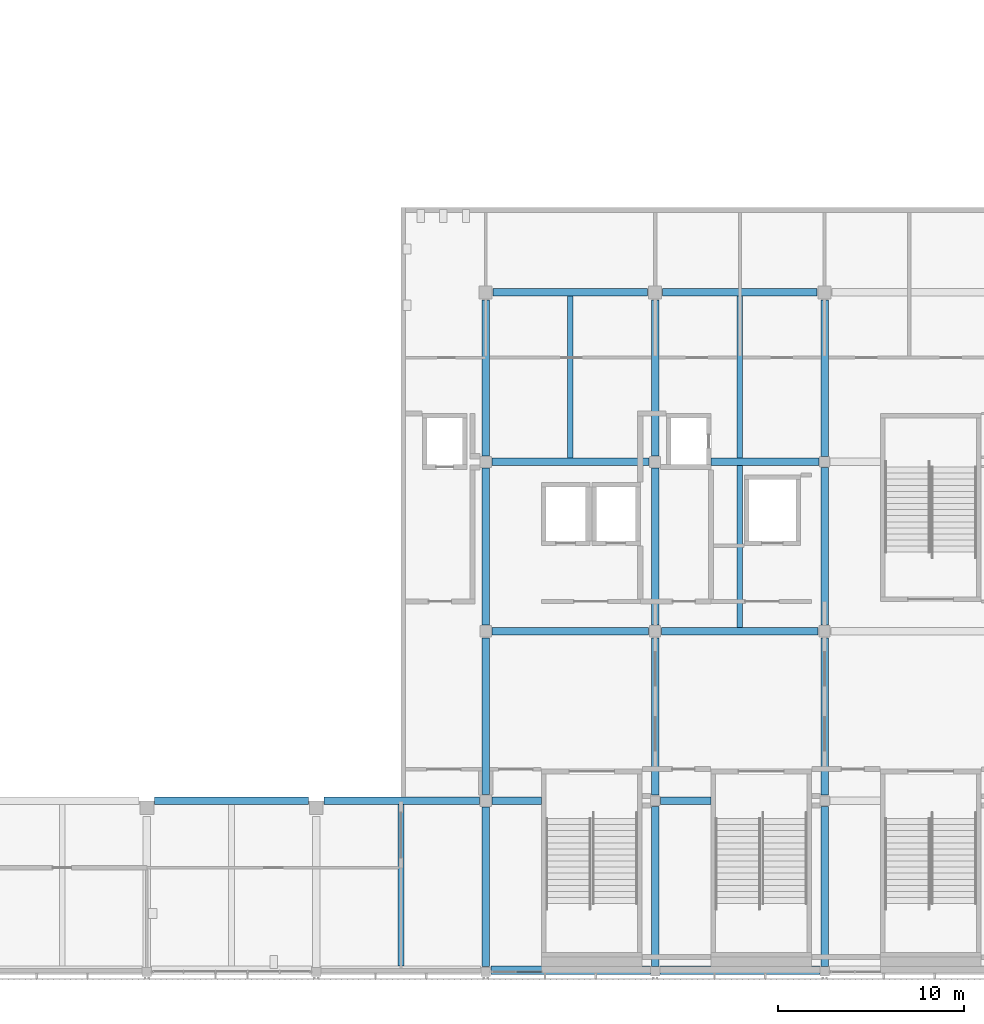
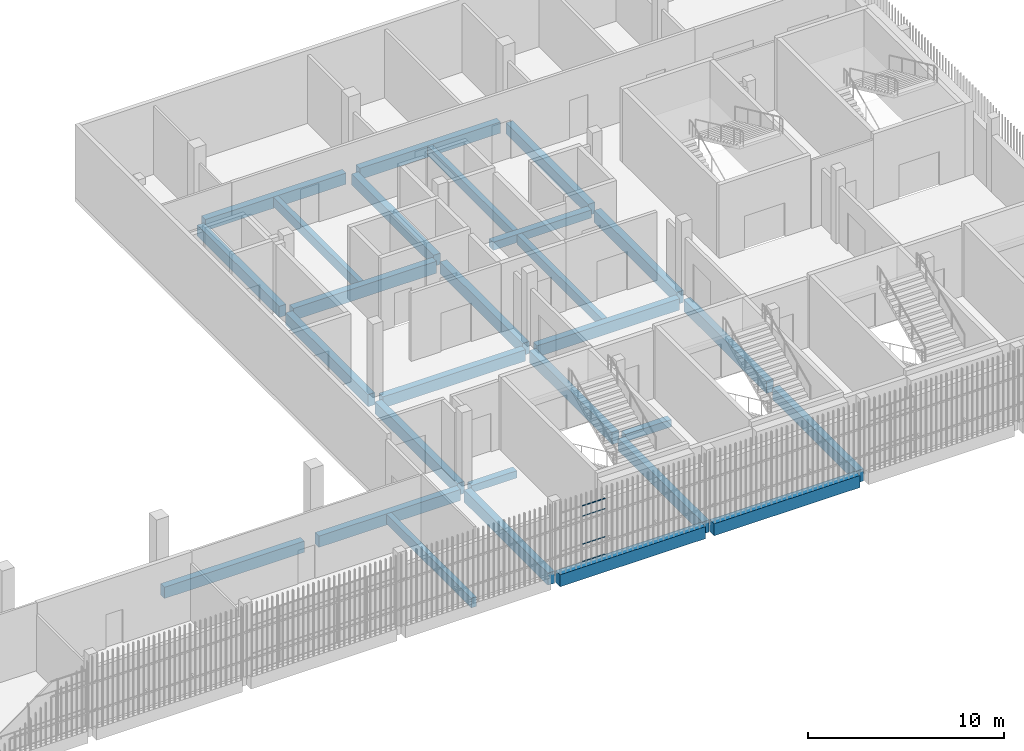
# One storey, part 28 of 124: 28 beams, 4 members, 1 element without a shape of its own.
"""IFC4 building model written with IfcOpenShell, lengths in metres."""

from ifc_helpers import new_model, si_unit, direction, frame, origin, origin_2d, place, context, subcontext, project, spatial, rectangle, hollow_rectangle, extrude, material, layer, layer_set, material_profile, profile_set, type_object, element, aggregate, save


model = new_model("IFC4")

# Units and contexts
model_context = context("Model", 3, precision=1e-05, world=origin(), true_north=direction((0.0, 1.0)))
body_context = subcontext(model_context, "Body", "Model", "MODEL_VIEW")
ifc_project = project(units=[si_unit("LENGTHUNIT", "METRE"), si_unit("AREAUNIT", "SQUARE_METRE"), si_unit("VOLUMEUNIT", "CUBIC_METRE"), si_unit("PLANEANGLEUNIT", "RADIAN"), si_unit("MASSUNIT", "GRAM", prefix="KILO")], contexts=[model_context])

# Site, building, storey
site_placement = place(None, origin())
site = spatial("IfcSite", under=ifc_project, at=site_placement, CompositionType="ELEMENT")
building_placement = place(site_placement, origin())
building = spatial("IfcBuilding", under=site, at=building_placement, Name="Shirokan Park Arena", CompositionType="ELEMENT")
storey_placement = place(building_placement, frame((0.0, 0.0, 20.02001953125)))
storey = spatial("IfcBuildingStorey", under=building, at=storey_placement, Name="L04", CompositionType="ELEMENT", Elevation=20.02001953125)

# Beams
ifc_material_1 = material(Name="Concrete C35", Category="concrete")
ifc_material_profile_1 = material_profile(ifc_material_1, rectangle(XDim=0.39990234375, YDim=0.5, at=origin_2d()), Name="400x500")
ifc_profile_set_1 = profile_set([ifc_material_profile_1], Name="Concrete C35")
beam_type_1 = type_object("IfcBeamType", Name="RC girder 400x500", PredefinedType="BEAM", material=ifc_profile_set_1)
beam_1_placement = place(storey_placement, frame((121.300048828125, 27.300048828125, -0.5), z_axis=(1.0, 0.0, 0.0), x_axis=(0.0, 1.0, 0.0)))
element("IfcBeam", 1, at=beam_1_placement, inside=storey, type_object=beam_type_1, Name="Girder 14D-15D L04", PredefinedType="BEAM", context=body_context, shape_type="SweptSolid", body=[
    extrude(rectangle(XDim=0.39990234375, YDim=0.5, at=origin_2d()), origin(), (0.0, 0.0, 1.0), 5.7998046875),
])
ifc_material_profile_2 = material_profile(ifc_material_1, rectangle(XDim=0.39990234375, YDim=0.699951171875, at=origin_2d()), Name="400x700")
ifc_profile_set_2 = profile_set([ifc_material_profile_2], Name="Concrete C35")
beam_type_2 = type_object("IfcBeamType", Name="RC girder 400x700", PredefinedType="BEAM", material=ifc_profile_set_2)
beam_2_placement = place(storey_placement, frame((91.425048828125, 9.10009765625, -0.60009765625), z_axis=(1.0, 0.0, 0.0), x_axis=(0.0, 1.0, 0.0)))
element("IfcBeam", 2, at=beam_2_placement, inside=storey, type_object=beam_type_2, Name="Girder 11B-12B L04", PredefinedType="BEAM", context=body_context, shape_type="SweptSolid", body=[
    extrude(rectangle(XDim=0.39990234375, YDim=0.699951171875, at=origin_2d()), origin(), (0.0, 0.0, 1.0), 8.249755859375),
])
beam_3_placement = place(storey_placement, frame((100.525146484375, 9.10009765625, -0.60009765625), z_axis=(1.0, 0.0, 0.0), x_axis=(0.0, 1.0, 0.0)))
element("IfcBeam", 3, at=beam_3_placement, inside=storey, type_object=beam_type_2, Name="Girder 12B-13B L04", PredefinedType="BEAM", context=body_context, shape_type="SweptSolid", body=[
    extrude(rectangle(XDim=0.39990234375, YDim=0.699951171875, at=origin_2d()), origin(), (0.0, 0.0, 1.0), 8.349853515625),
])
beam_4_placement = place(storey_placement, frame((109.550048828125, 18.199951171875, -0.60009765625), z_axis=(1.0, 0.0, 0.0), x_axis=(0.0, 1.0, 0.0)))
element("IfcBeam", 4, at=beam_4_placement, inside=storey, type_object=beam_type_2, Name="Girder 13C-14C L04", PredefinedType="BEAM", context=body_context, shape_type="SweptSolid", body=[
    extrude(rectangle(XDim=0.39990234375, YDim=0.699951171875, at=origin_2d()), origin(), (0.0, 0.0, 1.0), 8.39990234375),
])
beam_5_placement = place(storey_placement, frame((109.60009765625, 36.39990234375, -0.60009765625), z_axis=(1.0, 0.0, 0.0), x_axis=(0.0, 1.0, 0.0)))
element("IfcBeam", 5, at=beam_5_placement, inside=storey, type_object=beam_type_2, Name="Girder 13E-14E L04", PredefinedType="BEAM", context=body_context, shape_type="SweptSolid", body=[
    extrude(rectangle(XDim=0.39990234375, YDim=0.699951171875, at=origin_2d()), origin(), (0.0, 0.0, 1.0), 8.2998046875),
])
beam_6_placement = place(storey_placement, frame((118.650146484375, 18.199951171875, -0.60009765625), z_axis=(1.0, 0.0, 0.0), x_axis=(0.0, 1.0, 0.0)))
element("IfcBeam", 6, at=beam_6_placement, inside=storey, type_object=beam_type_2, Name="Girder 14C-15C L04", PredefinedType="BEAM", context=body_context, shape_type="SweptSolid", body=[
    extrude(rectangle(XDim=0.39990234375, YDim=0.699951171875, at=origin_2d()), origin(), (0.0, 0.0, 1.0), 8.399658203125),
])
beam_7_placement = place(storey_placement, frame((118.7001953125, 36.39990234375, -0.60009765625), z_axis=(1.0, 0.0, 0.0), x_axis=(0.0, 1.0, 0.0)))
element("IfcBeam", 7, at=beam_7_placement, inside=storey, type_object=beam_type_2, Name="Girder 14E-15E L04", PredefinedType="BEAM", context=body_context, shape_type="SweptSolid", body=[
    extrude(rectangle(XDim=0.39990234375, YDim=0.699951171875, at=origin_2d()), origin(), (0.0, 0.0, 1.0), 8.2998046875),
])
for number, where, z_axis, x_axis, name in (
    (8, (109.199951171875, 27.625, -0.60009765625), (0.0, 1.0, 0.0), (-1.0, 0.0, 0.0), "Girder 13D-13E L04"),
    (9, (118.300048828125, 27.625, -0.60009765625), (0.0, 1.0, 0.0), (-1.0, 0.0, 0.0), "Girder 14D-14E L04"),
):
    element("IfcBeam", number, at=place(storey_placement, frame(where, z_axis=z_axis, x_axis=x_axis)), inside=storey, type_object=beam_type_2, Name=name, PredefinedType="BEAM", context=body_context, shape_type="SweptSolid", body=[
        extrude(rectangle(XDim=0.39990234375, YDim=0.699951171875, at=origin_2d()), origin(), (0.0, 0.0, 1.0), 8.375),
    ])
beam_8_placement = place(storey_placement, frame((127.39990234375, 27.60009765625, -0.60009765625), z_axis=(0.0, 1.0, 0.0), x_axis=(-1.0, 0.0, 0.0)))
element("IfcBeam", 10, at=beam_8_placement, inside=storey, type_object=beam_type_2, Name="Girder 15D-15E L04", PredefinedType="BEAM", context=body_context, shape_type="SweptSolid", body=[
    extrude(rectangle(XDim=0.39990234375, YDim=0.699951171875, at=origin_2d()), origin(), (0.0, 0.0, 1.0), 8.39990234375),
])
ifc_material_profile_3 = material_profile(ifc_material_1, rectangle(XDim=0.39990234375, YDim=0.75, at=origin_2d()), Name="400x750")
ifc_profile_set_3 = profile_set([ifc_material_profile_3], Name="Concrete C35")
beam_type_3 = type_object("IfcBeamType", Name="RC girder 400x750", PredefinedType="BEAM", material=ifc_profile_set_3)
beam_9_placement = place(storey_placement, frame((109.525146484375, 27.300048828125, -0.625), z_axis=(1.0, 0.0, 0.0), x_axis=(0.0, 1.0, 0.0)))
element("IfcBeam", 11, at=beam_9_placement, inside=storey, type_object=beam_type_3, Name="Girder 13D-14D L04", PredefinedType="BEAM", context=body_context, shape_type="SweptSolid", body=[
    extrude(rectangle(XDim=0.39990234375, YDim=0.75, at=origin_2d()), origin(), (0.0, 0.0, 1.0), 8.44970703125),
])
beam_10_placement = place(storey_placement, frame((109.199951171875, 0.2001953125, -0.625), z_axis=(0.0, 1.0, 0.0), x_axis=(-1.0, 0.0, 0.0)))
element("IfcBeam", 12, at=beam_10_placement, inside=storey, type_object=beam_type_3, Name="Girder 13A-13B L04", PredefinedType="BEAM", context=body_context, shape_type="SweptSolid", body=[
    extrude(rectangle(XDim=0.39990234375, YDim=0.75, at=origin_2d()), origin(), (0.0, 0.0, 1.0), 8.57470703125),
])
for number, where, z_axis, x_axis, name in (
    (13, (109.199951171875, 9.425048828125, -0.625), (0.0, 1.0, 0.0), (-1.0, 0.0, 0.0), "Girder 13B-13C L04"),
    (14, (109.199951171875, 18.550048828125, -0.625), (0.0, 1.0, 0.0), (-1.0, 0.0, 0.0), "Girder 13C-13D L04"),
):
    element("IfcBeam", number, at=place(storey_placement, frame(where, z_axis=z_axis, x_axis=x_axis)), inside=storey, type_object=beam_type_3, Name=name, PredefinedType="BEAM", context=body_context, shape_type="SweptSolid", body=[
        extrude(rectangle(XDim=0.39990234375, YDim=0.75, at=origin_2d()), origin(), (0.0, 0.0, 1.0), 8.4248046875),
    ])
beam_11_placement = place(storey_placement, frame((118.300048828125, 0.2001953125, -0.625), z_axis=(0.0, 1.0, 0.0), x_axis=(-1.0, 0.0, 0.0)))
element("IfcBeam", 15, at=beam_11_placement, inside=storey, type_object=beam_type_3, Name="Girder 14A-14B L04", PredefinedType="BEAM", context=body_context, shape_type="SweptSolid", body=[
    extrude(rectangle(XDim=0.39990234375, YDim=0.75, at=origin_2d()), origin(), (0.0, 0.0, 1.0), 8.599609375),
])
beam_12_placement = place(storey_placement, frame((118.300048828125, 9.400146484375, -0.625), z_axis=(0.0, 1.0, 0.0), x_axis=(-1.0, 0.0, 0.0)))
element("IfcBeam", 16, at=beam_12_placement, inside=storey, type_object=beam_type_3, Name="Girder 14B-14C L04", PredefinedType="BEAM", context=body_context, shape_type="SweptSolid", body=[
    extrude(rectangle(XDim=0.39990234375, YDim=0.75, at=origin_2d()), origin(), (0.0, 0.0, 1.0), 8.44970703125),
])
beam_13_placement = place(storey_placement, frame((118.300048828125, 18.550048828125, -0.625), z_axis=(0.0, 1.0, 0.0), x_axis=(-1.0, 0.0, 0.0)))
element("IfcBeam", 17, at=beam_13_placement, inside=storey, type_object=beam_type_3, Name="Girder 14C-14D L04", PredefinedType="BEAM", context=body_context, shape_type="SweptSolid", body=[
    extrude(rectangle(XDim=0.39990234375, YDim=0.75, at=origin_2d()), origin(), (0.0, 0.0, 1.0), 8.4248046875),
])
beam_14_placement = place(storey_placement, frame((127.39990234375, 0.2001953125, -0.625), z_axis=(0.0, 1.0, 0.0), x_axis=(-1.0, 0.0, 0.0)))
element("IfcBeam", 18, at=beam_14_placement, inside=storey, type_object=beam_type_3, Name="Girder 15A-15B L04", PredefinedType="BEAM", context=body_context, shape_type="SweptSolid", body=[
    extrude(rectangle(XDim=0.39990234375, YDim=0.75, at=origin_2d()), origin(), (0.0, 0.0, 1.0), 8.599609375),
])
beam_15_placement = place(storey_placement, frame((127.39990234375, 9.400146484375, -0.625), z_axis=(0.0, 1.0, 0.0), x_axis=(-1.0, 0.0, 0.0)))
element("IfcBeam", 19, at=beam_15_placement, inside=storey, type_object=beam_type_3, Name="Girder 15B-15C L04", PredefinedType="BEAM", context=body_context, shape_type="SweptSolid", body=[
    extrude(rectangle(XDim=0.39990234375, YDim=0.75, at=origin_2d()), origin(), (0.0, 0.0, 1.0), 8.44970703125),
])
beam_16_placement = place(storey_placement, frame((127.39990234375, 18.550048828125, -0.625), z_axis=(0.0, 1.0, 0.0), x_axis=(-1.0, 0.0, 0.0)))
element("IfcBeam", 20, at=beam_16_placement, inside=storey, type_object=beam_type_3, Name="Girder 15C-15D L04", PredefinedType="BEAM", context=body_context, shape_type="SweptSolid", body=[
    extrude(rectangle(XDim=0.39990234375, YDim=0.75, at=origin_2d()), origin(), (0.0, 0.0, 1.0), 8.449951171875),
])
ifc_material_profile_4 = material_profile(ifc_material_1, rectangle(XDim=0.449951171875, YDim=0.75, at=origin_2d()), Name="450x750")
ifc_profile_set_4 = profile_set([ifc_material_profile_4], Name="Concrete C35")
beam_type_4 = type_object("IfcBeamType", Name="RC girder 450x750", PredefinedType="BEAM", material=ifc_profile_set_4)
beam_17_placement = place(storey_placement, frame((109.47509765625, 0.0, -0.625), z_axis=(1.0, 0.0, 0.0), x_axis=(0.0, 1.0, 0.0)))
element("IfcBeam", 21, at=beam_17_placement, inside=storey, type_object=beam_type_4, Name="Girder 13A-14A L04", PredefinedType="BEAM", context=body_context, shape_type="SweptSolid", body=[
    extrude(rectangle(XDim=0.449951171875, YDim=0.75, at=origin_2d()), origin(), (0.0, 0.0, 1.0), 8.57470703125),
])
beam_18_placement = place(storey_placement, frame((118.550048828125, 0.0, -0.625), z_axis=(1.0, 0.0, 0.0), x_axis=(0.0, 1.0, 0.0)))
element("IfcBeam", 22, at=beam_18_placement, inside=storey, type_object=beam_type_4, Name="Girder 14A-15A L04", PredefinedType="BEAM", context=body_context, shape_type="SweptSolid", body=[
    extrude(rectangle(XDim=0.449951171875, YDim=0.75, at=origin_2d()), origin(), (0.0, 0.0, 1.0), 8.599853515625),
])
ifc_material_profile_5 = material_profile(ifc_material_1, rectangle(XDim=0.300048828125, YDim=0.60009765625, at=origin_2d()), Name="300x600")
ifc_profile_set_5 = profile_set([ifc_material_profile_5], Name="Concrete C35")
beam_type_5 = type_object("IfcBeamType", Name="RC joist 300x600", PredefinedType="JOIST", material=ifc_profile_set_5)
beam_19_placement = place(storey_placement, frame((104.64990234375, 0.22509765625, -0.550048828125), z_axis=(0.0, 1.0, 0.0), x_axis=(-1.0, 0.0, 0.0)))
element("IfcBeam", 23, at=beam_19_placement, inside=storey, type_object=beam_type_5, Name="Joist 13A L04", PredefinedType="JOIST", context=body_context, shape_type="SweptSolid", body=[
    extrude(rectangle(XDim=0.300048828125, YDim=0.60009765625, at=origin_2d()), origin(), (0.0, 0.0, 1.0), 8.6748046875),
])
beam_20_placement = place(storey_placement, frame((113.75, 27.5, -0.550048828125), z_axis=(0.0, 1.0, 0.0), x_axis=(-1.0, 0.0, 0.0)))
element("IfcBeam", 24, at=beam_20_placement, inside=storey, type_object=beam_type_5, Name="Joist 13D L04", PredefinedType="JOIST", context=body_context, shape_type="SweptSolid", body=[
    extrude(rectangle(XDim=0.300048828125, YDim=0.60009765625, at=origin_2d()), origin(), (0.0, 0.0, 1.0), 8.699951171875),
])
beam_21_placement = place(storey_placement, frame((122.85009765625, 18.39990234375, -0.550048828125), z_axis=(0.0, 1.0, 0.0), x_axis=(-1.0, 0.0, 0.0)))
element("IfcBeam", 25, at=beam_21_placement, inside=storey, type_object=beam_type_5, Name="Joist 14C L04", PredefinedType="JOIST", context=body_context, shape_type="SweptSolid", body=[
    extrude(rectangle(XDim=0.300048828125, YDim=0.60009765625, at=origin_2d()), origin(), (0.0, 0.0, 1.0), 8.7001953125),
])
beam_22_placement = place(storey_placement, frame((122.85009765625, 27.5, -0.550048828125), z_axis=(0.0, 1.0, 0.0), x_axis=(-1.0, 0.0, 0.0)))
element("IfcBeam", 26, at=beam_22_placement, inside=storey, type_object=beam_type_5, Name="Joist 14D L04", PredefinedType="JOIST", context=body_context, shape_type="SweptSolid", body=[
    extrude(rectangle(XDim=0.300048828125, YDim=0.60009765625, at=origin_2d()), origin(), (0.0, 0.0, 1.0), 8.699951171875),
])
ifc_material_profile_6 = material_profile(ifc_material_1, rectangle(XDim=0.39990234375, YDim=0.449951171875, at=origin_2d()), Name="400x450")
ifc_profile_set_6 = profile_set([ifc_material_profile_6], Name="Concrete C35")
beam_type_6 = type_object("IfcBeamType", Name="RC trimmer 400x450", PredefinedType="BEAM", material=ifc_profile_set_6)
beam_23_placement = place(storey_placement, frame((109.525146484375, 9.10009765625, -0.47509765625), z_axis=(1.0, 0.0, 0.0), x_axis=(0.0, 1.0, 0.0)))
element("IfcBeam", 27, at=beam_23_placement, inside=storey, type_object=beam_type_6, Name="Girder 13B-14B L04", PredefinedType="BEAM", context=body_context, shape_type="SweptSolid", body=[
    extrude(rectangle(XDim=0.39990234375, YDim=0.449951171875, at=origin_2d()), origin(), (0.0, 0.0, 1.0), 2.6748046875),
])
beam_24_placement = place(storey_placement, frame((118.60009765625, 9.10009765625, -0.47509765625), z_axis=(1.0, 0.0, 0.0), x_axis=(0.0, 1.0, 0.0)))
element("IfcBeam", 28, at=beam_24_placement, inside=storey, type_object=beam_type_6, Name="Girder 14B-15B L04", PredefinedType="BEAM", context=body_context, shape_type="SweptSolid", body=[
    extrude(rectangle(XDim=0.39990234375, YDim=0.449951171875, at=origin_2d()), origin(), (0.0, 0.0, 1.0), 2.699951171875),
])

# Curtain wall, members
ifc_material_2 = material(Name="Steel and glass curtain wall", Category="steel")
ifc_layer = layer(ifc_material_2, 0.1201171875)
ifc_layer_set = layer_set([ifc_layer], Name="Steel and glass curtain wall 120 mm")
curtain_wall_type = type_object("IfcCurtainWallType", Name="Curtain wall corner block side bay 120", PredefinedType="NOTDEFINED", material=ifc_layer_set)
curtain_wall_placement = place(storey_placement, origin())
curtain_wall = element("IfcCurtainWall", 29, at=curtain_wall_placement, inside=storey, type_object=curtain_wall_type, Name="Curtain wall south bay 13 L04", PredefinedType="NOTDEFINED")
ifc_material_3 = material(Name="Steel S355", Category="steel")
ifc_material_profile_7 = material_profile(ifc_material_3, hollow_rectangle(XDim=0.06005859375, YDim=0.0400390625, WallThickness=0.00390625, at=origin_2d()), Name="RHS 60x40x4")
ifc_profile_set_7 = profile_set([ifc_material_profile_7], Name="Steel S355")
member_type = type_object("IfcMemberType", Name="Transom RHS 60x40x4", PredefinedType="MULLION", material=ifc_profile_set_7)
member_1_placement = place(storey_placement, frame((110.85009765625, -0.090087890625, 0.02001953125), z_axis=(1.0, 0.0, 0.0), x_axis=(0.0, 1.0, 0.0)))
member_1 = element("IfcMember", 30, at=member_1_placement, type_object=member_type, Name="CW3 transom 2.1", PredefinedType="MULLION", context=body_context, shape_type="SweptSolid", body=[
    extrude(hollow_rectangle(XDim=0.06005859375, YDim=0.0400390625, WallThickness=0.00390625, at=origin_2d()), origin(), (0.0, 0.0, 1.0), 1.349853515625),
])
member_2_placement = place(storey_placement, frame((110.85009765625, -0.090087890625, 1.10009765625), z_axis=(1.0, 0.0, 0.0), x_axis=(0.0, 1.0, 0.0)))
member_2 = element("IfcMember", 31, at=member_2_placement, type_object=member_type, Name="CW3 transom 2.2", PredefinedType="MULLION", context=body_context, shape_type="SweptSolid", body=[
    extrude(hollow_rectangle(XDim=0.06005859375, YDim=0.0400390625, WallThickness=0.00390625, at=origin_2d()), origin(), (0.0, 0.0, 1.0), 1.349853515625),
])
member_3_placement = place(storey_placement, frame((110.85009765625, -0.090087890625, 2.85009765625), z_axis=(1.0, 0.0, 0.0), x_axis=(0.0, 1.0, 0.0)))
member_3 = element("IfcMember", 32, at=member_3_placement, type_object=member_type, Name="CW3 transom 2.3", PredefinedType="MULLION", context=body_context, shape_type="SweptSolid", body=[
    extrude(hollow_rectangle(XDim=0.06005859375, YDim=0.0400390625, WallThickness=0.00390625, at=origin_2d()), origin(), (0.0, 0.0, 1.0), 1.349853515625),
])
member_4_placement = place(storey_placement, frame((110.85009765625, -0.090087890625, 3.47998046875), z_axis=(1.0, 0.0, 0.0), x_axis=(0.0, 1.0, 0.0)))
member_4 = element("IfcMember", 33, at=member_4_placement, type_object=member_type, Name="CW3 transom 2.4", PredefinedType="MULLION", context=body_context, shape_type="SweptSolid", body=[
    extrude(hollow_rectangle(XDim=0.06005859375, YDim=0.0400390625, WallThickness=0.00390625, at=origin_2d()), origin(), (0.0, 0.0, 1.0), 1.349853515625),
])
aggregate(curtain_wall, [member_1, member_2, member_3, member_4])

save(model, "model.ifc")
